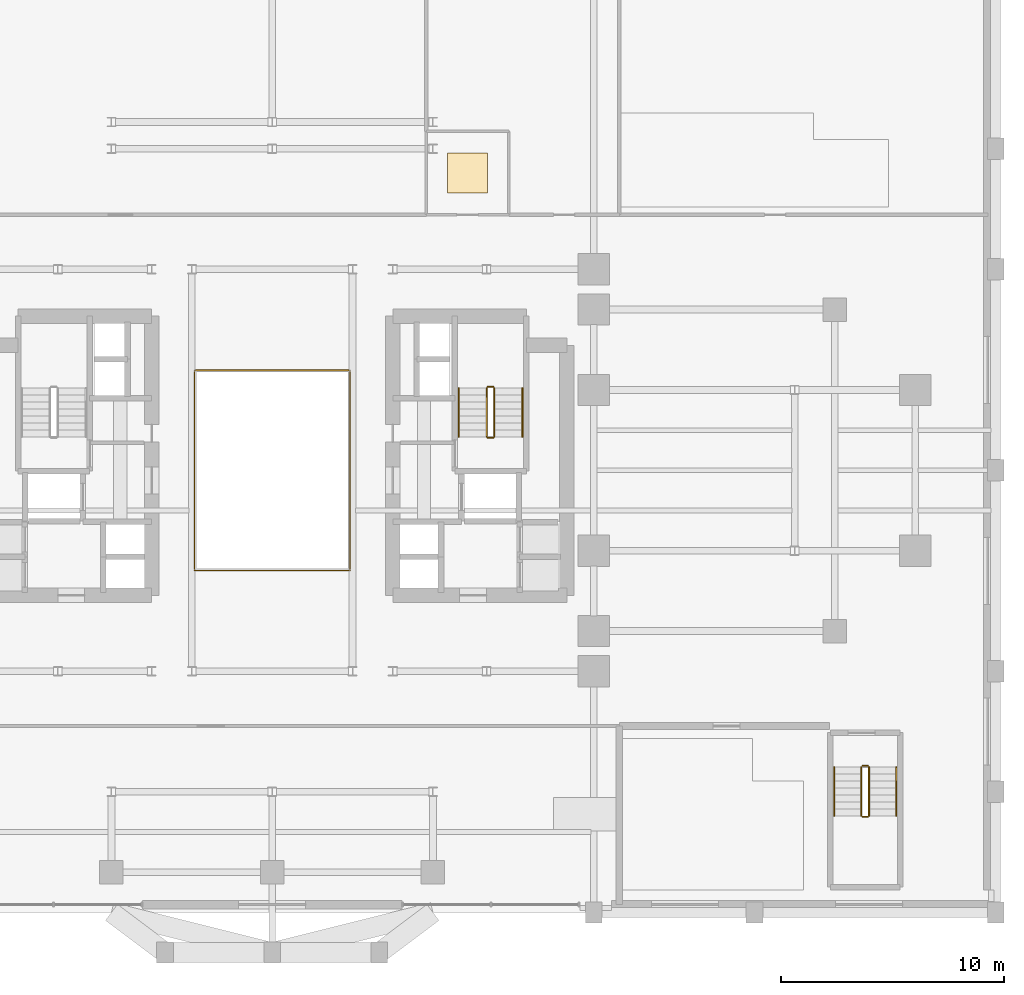
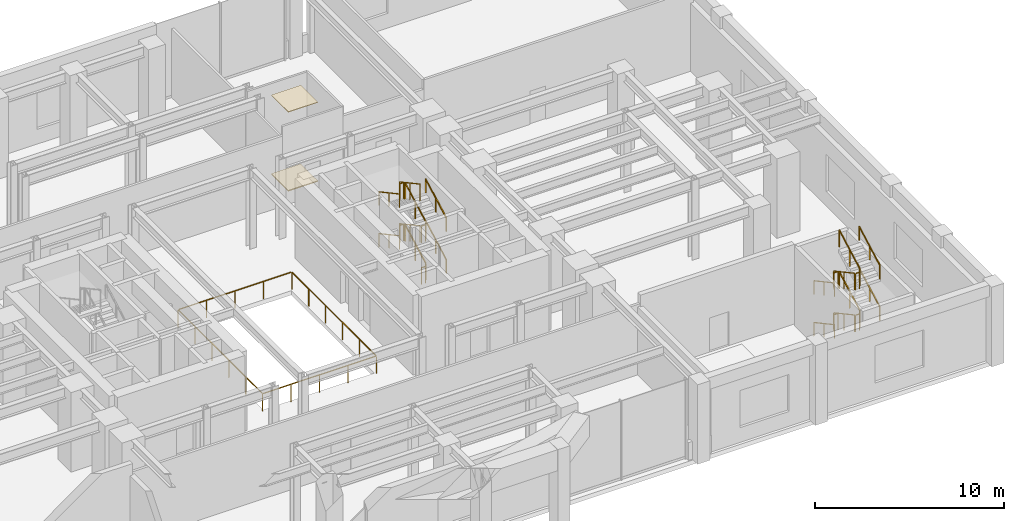
# One storey, part 15 of 16: 25 railings, 2 coverings.
"""IFC4 building model written with IfcOpenShell, lengths in metres."""

from ifc_helpers import new_model, si_unit, direction, frame, origin, origin_2d, place, context, subcontext, project, spatial, rectangle, extrude, source, transform, mapped, material, layer, layer_set, type_object, element, save


model = new_model("IFC4")

# Units and contexts
model_context = context("Model", 3, precision=1e-05, world=origin(), true_north=direction((0.0, 1.0)))
body_context = subcontext(model_context, "Body", "Model", "MODEL_VIEW")
ifc_project = project(units=[si_unit("LENGTHUNIT", "METRE"), si_unit("AREAUNIT", "SQUARE_METRE"), si_unit("VOLUMEUNIT", "CUBIC_METRE"), si_unit("PLANEANGLEUNIT", "RADIAN"), si_unit("MASSUNIT", "GRAM", prefix="KILO")], contexts=[model_context])

# Site, building, storey
site_placement = place(None, origin())
site = spatial("IfcSite", under=ifc_project, at=site_placement, CompositionType="ELEMENT")
building_placement = place(site_placement, origin())
building = spatial("IfcBuilding", under=site, at=building_placement, Name="Keilestroom Media Tower", CompositionType="ELEMENT")
storey_placement = place(building_placement, frame((0.0, 0.0, 10.199951171875)))
storey = spatial("IfcBuildingStorey", under=building, at=storey_placement, Name="L02", CompositionType="ELEMENT", Elevation=10.199951171875)

# Railings
ifc_material_1 = material(Name="Laminated Safety Glass & Bronze Steel", Category="steel")
railing_type_1 = type_object("IfcRailingType", Name="Atrium-Void-Guard-Balustrade-1150", PredefinedType="BALUSTRADE", material=ifc_material_1)
railing_1_placement = place(storey_placement, frame((-3.47998046875, -4.47998046875, 0.0)))
element("IfcRailing", 1, at=railing_1_placement, inside=storey, type_object=railing_type_1, Name="L02 Central Atrium Void Balustrade", PredefinedType="BALUSTRADE", context=body_context, shape_type="SweptSolid", body=[
    extrude(rectangle(XDim=0.048095703125, YDim=0.048095703125, at=origin_2d()), frame((0.0, 0.0, 1.1259765625), z_axis=(1.0, 0.0, 0.0), x_axis=(0.0, 1.0, 0.0)), (0.0, 0.0, 1.0), 6.911865234375),
    extrude(rectangle(XDim=0.048095703125, YDim=0.048095703125, at=origin_2d()), frame((6.9599609375, 0.048095703125, 1.1259765625), z_axis=(0.0, 1.0, 0.0), x_axis=(-1.0, 0.0, 0.0)), (0.0, 0.0, 1.0), 8.86376953125),
    extrude(rectangle(XDim=0.048095703125, YDim=0.048095703125, at=origin_2d()), frame((6.911865234375, 8.9599609375, 1.1259765625), z_axis=(-1.0, 0.0, 0.0), x_axis=(0.0, -1.0, 0.0)), (0.0, 0.0, 1.0), 6.86376953125),
    extrude(rectangle(XDim=0.048095703125, YDim=0.048095703125, at=origin_2d()), frame((0.0, 8.911865234375, 1.1259765625), z_axis=(0.0, -1.0, 0.0), x_axis=(1.0, 0.0, 0.0)), (0.0, 0.0, 1.0), 8.86376953125),
    extrude(rectangle(XDim=0.0419921875, YDim=0.0419921875, at=origin_2d()), origin(), (0.0, 0.0, 1.0), 1.09375),
    extrude(rectangle(XDim=0.0419921875, YDim=0.0419921875, at=origin_2d()), frame((1.739990234375, 0.0, 0.0)), (0.0, 0.0, 1.0), 1.09375),
    extrude(rectangle(XDim=0.0419921875, YDim=0.0419921875, at=origin_2d()), frame((3.47998046875, 0.0, 0.0)), (0.0, 0.0, 1.0), 1.09375),
    extrude(rectangle(XDim=0.0419921875, YDim=0.0419921875, at=origin_2d()), frame((5.219970703125, 0.0, 0.0)), (0.0, 0.0, 1.0), 1.09375),
    extrude(rectangle(XDim=0.0419921875, YDim=0.0419921875, at=origin_2d()), frame((6.9599609375, 0.0, 0.0)), (0.0, 0.0, 1.0), 1.09375),
    extrude(rectangle(XDim=0.0419921875, YDim=0.0419921875, at=origin_2d()), frame((6.9599609375, 1.7919921875, 0.0)), (0.0, 0.0, 1.0), 1.09375),
    extrude(rectangle(XDim=0.0419921875, YDim=0.0419921875, at=origin_2d()), frame((6.9599609375, 3.583984375, 0.0)), (0.0, 0.0, 1.0), 1.09375),
    extrude(rectangle(XDim=0.0419921875, YDim=0.0419921875, at=origin_2d()), frame((6.9599609375, 5.3759765625, 0.0)), (0.0, 0.0, 1.0), 1.09375),
    extrude(rectangle(XDim=0.0419921875, YDim=0.0419921875, at=origin_2d()), frame((6.9599609375, 7.16796875, 0.0)), (0.0, 0.0, 1.0), 1.09375),
    extrude(rectangle(XDim=0.0419921875, YDim=0.0419921875, at=origin_2d()), frame((6.9599609375, 8.9599609375, 0.0)), (0.0, 0.0, 1.0), 1.09375),
    extrude(rectangle(XDim=0.0419921875, YDim=0.0419921875, at=origin_2d()), frame((5.219970703125, 8.9599609375, 0.0)), (0.0, 0.0, 1.0), 1.09375),
    extrude(rectangle(XDim=0.0419921875, YDim=0.0419921875, at=origin_2d()), frame((3.47998046875, 8.9599609375, 0.0)), (0.0, 0.0, 1.0), 1.09375),
    extrude(rectangle(XDim=0.0419921875, YDim=0.0419921875, at=origin_2d()), frame((1.739990234375, 8.9599609375, 0.0)), (0.0, 0.0, 1.0), 1.09375),
    extrude(rectangle(XDim=0.0419921875, YDim=0.0419921875, at=origin_2d()), frame((0.0, 8.9599609375, 0.0)), (0.0, 0.0, 1.0), 1.09375),
    extrude(rectangle(XDim=0.0419921875, YDim=0.0419921875, at=origin_2d()), frame((0.0, 7.16796875, 0.0)), (0.0, 0.0, 1.0), 1.09375),
    extrude(rectangle(XDim=0.0419921875, YDim=0.0419921875, at=origin_2d()), frame((0.0, 5.3759765625, 0.0)), (0.0, 0.0, 1.0), 1.09375),
    extrude(rectangle(XDim=0.0419921875, YDim=0.0419921875, at=origin_2d()), frame((0.0, 3.583984375, 0.0)), (0.0, 0.0, 1.0), 1.09375),
    extrude(rectangle(XDim=0.0419921875, YDim=0.0419921875, at=origin_2d()), frame((0.0, 1.7919921875, 0.0)), (0.0, 0.0, 1.0), 1.09375),
])
ifc_material_2 = material(Name="Brushed Stainless Steel 1.4301", Category="steel")
railing_type_2 = type_object("IfcRailingType", Name="Stair-Pitch-Handrail-920", PredefinedType="HANDRAIL", material=ifc_material_2)
railing_2_placement = place(storey_placement, frame((11.2099609375, 1.5, 0.168701171875)))
element("IfcRailing", 2, at=railing_2_placement, inside=storey, type_object=railing_type_2, Name="L02 ST-2 stair handrail 1", PredefinedType="HANDRAIL", context=body_context, shape_type="SweptSolid", body=[
    extrude(rectangle(XDim=0.048095703125, YDim=0.048095703125, at=origin_2d()), frame((0.0, 0.0, 0.8759765625), z_axis=(0.0, 0.879569751981, 0.475769956387), x_axis=(-1.0, 0.0, 0.0)), (0.0, 0.0, 1.0), 2.483154296875),
    extrude(rectangle(XDim=0.0419921875, YDim=0.0419921875, at=origin_2d()), origin(), (0.0, 0.0, 1.0), 0.84375),
    extrude(rectangle(XDim=0.0419921875, YDim=0.0419921875, at=origin_2d()), frame((0.0, 1.092041015625, 0.5908203125)), (0.0, 0.0, 1.0), 0.84375),
    extrude(rectangle(XDim=0.0419921875, YDim=0.0419921875, at=origin_2d()), frame((0.0, 2.18408203125, 1.181396484375)), (0.0, 0.0, 1.0), 0.84375),
])
railing_3_placement = place(storey_placement, frame((8.35009765625, 3.68408203125, 1.518798828125)))
element("IfcRailing", 3, at=railing_3_placement, inside=storey, type_object=railing_type_2, Name="L02 ST-2 stair handrail 2", PredefinedType="HANDRAIL", context=body_context, shape_type="SweptSolid", body=[
    extrude(rectangle(XDim=0.048095703125, YDim=0.048095703125, at=origin_2d()), frame((0.0, 0.0, 0.8759765625), z_axis=(0.0, -0.879610894823, 0.475693886559), x_axis=(1.0, 0.0, 0.0)), (0.0, 0.0, 1.0), 2.48291015625),
    extrude(rectangle(XDim=0.0419921875, YDim=0.0419921875, at=origin_2d()), origin(), (0.0, 0.0, 1.0), 0.84375),
    extrude(rectangle(XDim=0.0419921875, YDim=0.0419921875, at=origin_2d()), frame((0.0, -1.092041015625, 0.590576171875)), (0.0, 0.0, 1.0), 0.84375),
    extrude(rectangle(XDim=0.0419921875, YDim=0.0419921875, at=origin_2d()), frame((0.0, -2.18408203125, 1.18115234375)), (0.0, 0.0, 1.0), 0.84375),
])
railing_4_placement = place(storey_placement, frame((11.2099609375, 1.5, 2.868896484375)))
element("IfcRailing", 4, at=railing_4_placement, inside=storey, type_object=railing_type_2, Name="L02 ST-2 stair handrail 3", PredefinedType="HANDRAIL", context=body_context, shape_type="SweptSolid", body=[
    extrude(rectangle(XDim=0.048095703125, YDim=0.048095703125, at=origin_2d()), frame((0.0, 0.0, 0.8759765625), z_axis=(0.0, 0.879610894823, 0.475693886559), x_axis=(-1.0, 0.0, 0.0)), (0.0, 0.0, 1.0), 2.48291015625),
    extrude(rectangle(XDim=0.0419921875, YDim=0.0419921875, at=origin_2d()), origin(), (0.0, 0.0, 1.0), 0.84375),
    extrude(rectangle(XDim=0.0419921875, YDim=0.0419921875, at=origin_2d()), frame((0.0, 1.092041015625, 0.590576171875)), (0.0, 0.0, 1.0), 0.84375),
    extrude(rectangle(XDim=0.0419921875, YDim=0.0419921875, at=origin_2d()), frame((0.0, 2.18408203125, 1.18115234375)), (0.0, 0.0, 1.0), 0.84375),
])
for number, where, name in (
    (5, (8.35009765625, 3.68408203125, 4.21875), "L02 ST-2 stair handrail 4"),
    (6, (25.169921875, -13.2900390625, 0.168701171875), "L02 ST-4 stair handrail 1"),
):
    element("IfcRailing", number, at=place(storey_placement, frame(where)), inside=storey, type_object=railing_type_2, Name=name, PredefinedType="HANDRAIL", context=body_context, shape_type="SweptSolid", body=[
        extrude(rectangle(XDim=0.048095703125, YDim=0.048095703125, at=origin_2d()), frame((0.0, 0.0, 0.8759765625), z_axis=(0.0, -0.879569751981, 0.475769956387), x_axis=(1.0, 0.0, 0.0)), (0.0, 0.0, 1.0), 2.483154296875),
        extrude(rectangle(XDim=0.0419921875, YDim=0.0419921875, at=origin_2d()), origin(), (0.0, 0.0, 1.0), 0.84375),
        extrude(rectangle(XDim=0.0419921875, YDim=0.0419921875, at=origin_2d()), frame((0.0, -1.092041015625, 0.5908203125)), (0.0, 0.0, 1.0), 0.84375),
        extrude(rectangle(XDim=0.0419921875, YDim=0.0419921875, at=origin_2d()), frame((0.0, -2.18408203125, 1.181396484375)), (0.0, 0.0, 1.0), 0.84375),
    ])
railing_5_placement = place(storey_placement, frame((27.949951171875, -15.47412109375, 1.518798828125)))
element("IfcRailing", 7, at=railing_5_placement, inside=storey, type_object=railing_type_2, Name="L02 ST-4 stair handrail 2", PredefinedType="HANDRAIL", context=body_context, shape_type="SweptSolid", body=[
    extrude(rectangle(XDim=0.048095703125, YDim=0.048095703125, at=origin_2d()), frame((0.0, 0.0, 0.8759765625), z_axis=(0.0, 0.879610894823, 0.475693886559), x_axis=(-1.0, 0.0, 0.0)), (0.0, 0.0, 1.0), 2.48291015625),
    extrude(rectangle(XDim=0.0419921875, YDim=0.0419921875, at=origin_2d()), origin(), (0.0, 0.0, 1.0), 0.84375),
    extrude(rectangle(XDim=0.0419921875, YDim=0.0419921875, at=origin_2d()), frame((0.0, 1.092041015625, 0.590576171875)), (0.0, 0.0, 1.0), 0.84375),
    extrude(rectangle(XDim=0.0419921875, YDim=0.0419921875, at=origin_2d()), frame((0.0, 2.18408203125, 1.18115234375)), (0.0, 0.0, 1.0), 0.84375),
])
railing_6_placement = place(storey_placement, frame((25.169921875, -13.2900390625, 2.868896484375)))
element("IfcRailing", 8, at=railing_6_placement, inside=storey, type_object=railing_type_2, Name="L02 ST-4 stair handrail 3", PredefinedType="HANDRAIL", context=body_context, shape_type="SweptSolid", body=[
    extrude(rectangle(XDim=0.048095703125, YDim=0.048095703125, at=origin_2d()), frame((0.0, 0.0, 0.8759765625), z_axis=(0.0, -0.879610894823, 0.475693886559), x_axis=(1.0, 0.0, 0.0)), (0.0, 0.0, 1.0), 2.48291015625),
    extrude(rectangle(XDim=0.0419921875, YDim=0.0419921875, at=origin_2d()), origin(), (0.0, 0.0, 1.0), 0.84375),
    extrude(rectangle(XDim=0.0419921875, YDim=0.0419921875, at=origin_2d()), frame((0.0, -1.092041015625, 0.590576171875)), (0.0, 0.0, 1.0), 0.84375),
    extrude(rectangle(XDim=0.0419921875, YDim=0.0419921875, at=origin_2d()), frame((0.0, -2.18408203125, 1.18115234375)), (0.0, 0.0, 1.0), 0.84375),
])
railing_7_placement = place(storey_placement, frame((27.949951171875, -15.47412109375, 4.21875)))
element("IfcRailing", 9, at=railing_7_placement, inside=storey, type_object=railing_type_2, Name="L02 ST-4 stair handrail 4", PredefinedType="HANDRAIL", context=body_context, shape_type="SweptSolid", body=[
    extrude(rectangle(XDim=0.048095703125, YDim=0.048095703125, at=origin_2d()), frame((0.0, 0.0, 0.8759765625), z_axis=(0.0, 0.879569751981, 0.475769956387), x_axis=(-1.0, 0.0, 0.0)), (0.0, 0.0, 1.0), 2.483154296875),
    extrude(rectangle(XDim=0.0419921875, YDim=0.0419921875, at=origin_2d()), origin(), (0.0, 0.0, 1.0), 0.84375),
    extrude(rectangle(XDim=0.0419921875, YDim=0.0419921875, at=origin_2d()), frame((0.0, 1.092041015625, 0.5908203125)), (0.0, 0.0, 1.0), 0.84375),
    extrude(rectangle(XDim=0.0419921875, YDim=0.0419921875, at=origin_2d()), frame((0.0, 2.18408203125, 1.181396484375)), (0.0, 0.0, 1.0), 0.84375),
])
ifc_material_3 = material(Name="Painted Steel Balustrade", Category="steel")
railing_type_3 = type_object("IfcRailingType", Name="Stair-Well-And-Landing-Guard-1100", PredefinedType="GUARDRAIL", material=ifc_material_3)
railing_8_placement = place(storey_placement, frame((9.949951171875, 1.5, 0.168701171875)))
element("IfcRailing", 10, at=railing_8_placement, inside=storey, type_object=railing_type_3, Name="L02 ST-2 stair guard 1", PredefinedType="GUARDRAIL", context=body_context, shape_type="SweptSolid", body=[
    extrude(rectangle(XDim=0.048095703125, YDim=0.048095703125, at=origin_2d()), frame((0.0, 0.0, 1.076171875), z_axis=(0.0, 0.879569751981, 0.475769956387), x_axis=(-1.0, 0.0, 0.0)), (0.0, 0.0, 1.0), 2.483154296875),
    extrude(rectangle(XDim=0.0419921875, YDim=0.0419921875, at=origin_2d()), origin(), (0.0, 0.0, 1.0), 1.0439453125),
    extrude(rectangle(XDim=0.0419921875, YDim=0.0419921875, at=origin_2d()), frame((0.0, 1.092041015625, 0.5908203125)), (0.0, 0.0, 1.0), 1.0439453125),
    extrude(rectangle(XDim=0.0419921875, YDim=0.0419921875, at=origin_2d()), frame((0.0, 2.18408203125, 1.181396484375)), (0.0, 0.0, 1.0), 1.0439453125),
])
railing_9_placement = place(storey_placement, frame((9.89990234375, 3.73388671875, 1.35009765625)))
element("IfcRailing", 11, at=railing_9_placement, inside=storey, type_object=railing_type_3, Name="L02 ST-2 stair guard 2", PredefinedType="GUARDRAIL", context=body_context, shape_type="SweptSolid", body=[
    extrude(rectangle(XDim=0.048095703125, YDim=0.048095703125, at=origin_2d()), frame((0.0, 0.0, 1.076171875), z_axis=(-1.0, 0.0, 0.0), x_axis=(0.0, -1.0, 0.0)), (0.0, 0.0, 1.0), 0.239990234375),
    extrude(rectangle(XDim=0.0419921875, YDim=0.0419921875, at=origin_2d()), origin(), (0.0, 0.0, 1.0), 1.0439453125),
    extrude(rectangle(XDim=0.0419921875, YDim=0.0419921875, at=origin_2d()), frame((-0.239990234375, 0.0, 0.0)), (0.0, 0.0, 1.0), 1.0439453125),
])
railing_10_placement = place(storey_placement, frame((9.610107421875, 3.68408203125, 1.518798828125)))
element("IfcRailing", 12, at=railing_10_placement, inside=storey, type_object=railing_type_3, Name="L02 ST-2 stair guard 3", PredefinedType="GUARDRAIL", context=body_context, shape_type="SweptSolid", body=[
    extrude(rectangle(XDim=0.048095703125, YDim=0.048095703125, at=origin_2d()), frame((0.0, 0.0, 1.076171875), z_axis=(0.0, -0.879610894823, 0.475693886559), x_axis=(1.0, 0.0, 0.0)), (0.0, 0.0, 1.0), 2.48291015625),
    extrude(rectangle(XDim=0.0419921875, YDim=0.0419921875, at=origin_2d()), origin(), (0.0, 0.0, 1.0), 1.0439453125),
    extrude(rectangle(XDim=0.0419921875, YDim=0.0419921875, at=origin_2d()), frame((0.0, -1.092041015625, 0.590576171875)), (0.0, 0.0, 1.0), 1.0439453125),
    extrude(rectangle(XDim=0.0419921875, YDim=0.0419921875, at=origin_2d()), frame((0.0, -2.18408203125, 1.18115234375)), (0.0, 0.0, 1.0), 1.0439453125),
])
railing_11_placement = place(storey_placement, frame((9.89990234375, 1.449951171875, 2.699951171875)))
element("IfcRailing", 13, at=railing_11_placement, inside=storey, type_object=railing_type_3, Name="L02 ST-2 stair guard 4", PredefinedType="GUARDRAIL", context=body_context, shape_type="SweptSolid", body=[
    extrude(rectangle(XDim=0.048095703125, YDim=0.048095703125, at=origin_2d()), frame((0.0, 0.0, 1.076171875), z_axis=(-1.0, 0.0, 0.0), x_axis=(0.0, -1.0, 0.0)), (0.0, 0.0, 1.0), 0.239990234375),
    extrude(rectangle(XDim=0.0419921875, YDim=0.0419921875, at=origin_2d()), origin(), (0.0, 0.0, 1.0), 1.0439453125),
    extrude(rectangle(XDim=0.0419921875, YDim=0.0419921875, at=origin_2d()), frame((-0.239990234375, 0.0, 0.0)), (0.0, 0.0, 1.0), 1.0439453125),
])
railing_12_placement = place(storey_placement, frame((9.949951171875, 1.5, 2.868896484375)))
element("IfcRailing", 14, at=railing_12_placement, inside=storey, type_object=railing_type_3, Name="L02 ST-2 stair guard 5", PredefinedType="GUARDRAIL", context=body_context, shape_type="SweptSolid", body=[
    extrude(rectangle(XDim=0.048095703125, YDim=0.048095703125, at=origin_2d()), frame((0.0, 0.0, 1.076171875), z_axis=(0.0, 0.879610894823, 0.475693886559), x_axis=(-1.0, 0.0, 0.0)), (0.0, 0.0, 1.0), 2.48291015625),
    extrude(rectangle(XDim=0.0419921875, YDim=0.0419921875, at=origin_2d()), origin(), (0.0, 0.0, 1.0), 1.0439453125),
    extrude(rectangle(XDim=0.0419921875, YDim=0.0419921875, at=origin_2d()), frame((0.0, 1.092041015625, 0.590576171875)), (0.0, 0.0, 1.0), 1.0439453125),
    extrude(rectangle(XDim=0.0419921875, YDim=0.0419921875, at=origin_2d()), frame((0.0, 2.18408203125, 1.18115234375)), (0.0, 0.0, 1.0), 1.0439453125),
])
railing_13_placement = place(storey_placement, frame((9.89990234375, 3.73388671875, 4.050048828125)))
element("IfcRailing", 15, at=railing_13_placement, inside=storey, type_object=railing_type_3, Name="L02 ST-2 stair guard 6", PredefinedType="GUARDRAIL", context=body_context, shape_type="SweptSolid", body=[
    extrude(rectangle(XDim=0.048095703125, YDim=0.048095703125, at=origin_2d()), frame((0.0, 0.0, 1.076171875), z_axis=(-1.0, 0.0, 0.0), x_axis=(0.0, -1.0, 0.0)), (0.0, 0.0, 1.0), 0.239990234375),
    extrude(rectangle(XDim=0.0419921875, YDim=0.0419921875, at=origin_2d()), origin(), (0.0, 0.0, 1.0), 1.0439453125),
    extrude(rectangle(XDim=0.0419921875, YDim=0.0419921875, at=origin_2d()), frame((-0.239990234375, 0.0, 0.0)), (0.0, 0.0, 1.0), 1.0439453125),
])
railing_14_placement = place(storey_placement, frame((9.610107421875, 3.68408203125, 4.21875)))
element("IfcRailing", 16, at=railing_14_placement, inside=storey, type_object=railing_type_3, Name="L02 ST-2 stair guard 7", PredefinedType="GUARDRAIL", context=body_context, shape_type="SweptSolid", body=[
    extrude(rectangle(XDim=0.048095703125, YDim=0.048095703125, at=origin_2d()), frame((0.0, 0.0, 1.076171875), z_axis=(0.0, -0.879569751981, 0.475769956387), x_axis=(1.0, 0.0, 0.0)), (0.0, 0.0, 1.0), 2.483154296875),
    extrude(rectangle(XDim=0.0419921875, YDim=0.0419921875, at=origin_2d()), origin(), (0.0, 0.0, 1.0), 1.0439453125),
    extrude(rectangle(XDim=0.0419921875, YDim=0.0419921875, at=origin_2d()), frame((0.0, -1.092041015625, 0.5908203125)), (0.0, 0.0, 1.0), 1.0439453125),
    extrude(rectangle(XDim=0.0419921875, YDim=0.0419921875, at=origin_2d()), frame((0.0, -2.18408203125, 1.181396484375)), (0.0, 0.0, 1.0), 1.0439453125),
])
railing_15_placement = place(storey_placement, frame((9.89990234375, 1.449951171875, 0.0)))
element("IfcRailing", 17, at=railing_15_placement, inside=storey, type_object=railing_type_3, Name="L02 ST-2 stair guard 8", PredefinedType="GUARDRAIL", context=body_context, shape_type="SweptSolid", body=[
    extrude(rectangle(XDim=0.048095703125, YDim=0.048095703125, at=origin_2d()), frame((0.0, 0.0, 1.076171875), z_axis=(-1.0, 0.0, 0.0), x_axis=(0.0, -1.0, 0.0)), (0.0, 0.0, 1.0), 0.239990234375),
    extrude(rectangle(XDim=0.0419921875, YDim=0.0419921875, at=origin_2d()), origin(), (0.0, 0.0, 1.0), 1.0439453125),
    extrude(rectangle(XDim=0.0419921875, YDim=0.0419921875, at=origin_2d()), frame((-0.239990234375, 0.0, 0.0)), (0.0, 0.0, 1.0), 1.0439453125),
])
railing_16_placement = place(storey_placement, frame((26.389892578125, -13.2900390625, 0.168701171875)))
element("IfcRailing", 18, at=railing_16_placement, inside=storey, type_object=railing_type_3, Name="L02 ST-4 stair guard 1", PredefinedType="GUARDRAIL", context=body_context, shape_type="SweptSolid", body=[
    extrude(rectangle(XDim=0.048095703125, YDim=0.048095703125, at=origin_2d()), frame((0.0, 0.0, 1.076171875), z_axis=(0.0, -0.879569751981, 0.475769956387), x_axis=(1.0, 0.0, 0.0)), (0.0, 0.0, 1.0), 2.483154296875),
    extrude(rectangle(XDim=0.0419921875, YDim=0.0419921875, at=origin_2d()), origin(), (0.0, 0.0, 1.0), 1.0439453125),
    extrude(rectangle(XDim=0.0419921875, YDim=0.0419921875, at=origin_2d()), frame((0.0, -1.092041015625, 0.5908203125)), (0.0, 0.0, 1.0), 1.0439453125),
    extrude(rectangle(XDim=0.0419921875, YDim=0.0419921875, at=origin_2d()), frame((0.0, -2.18408203125, 1.181396484375)), (0.0, 0.0, 1.0), 1.0439453125),
])
railing_17_placement = place(storey_placement, frame((26.43994140625, -15.52392578125, 1.35009765625)))
element("IfcRailing", 19, at=railing_17_placement, inside=storey, type_object=railing_type_3, Name="L02 ST-4 stair guard 2", PredefinedType="GUARDRAIL", context=body_context, shape_type="SweptSolid", body=[
    extrude(rectangle(XDim=0.048095703125, YDim=0.048095703125, at=origin_2d()), frame((0.0, 0.0, 1.076171875), z_axis=(1.0, 0.0, 0.0), x_axis=(0.0, 1.0, 0.0)), (0.0, 0.0, 1.0), 0.239990234375),
    extrude(rectangle(XDim=0.0419921875, YDim=0.0419921875, at=origin_2d()), origin(), (0.0, 0.0, 1.0), 1.0439453125),
    extrude(rectangle(XDim=0.0419921875, YDim=0.0419921875, at=origin_2d()), frame((0.239990234375, 0.0, 0.0)), (0.0, 0.0, 1.0), 1.0439453125),
])
railing_18_placement = place(storey_placement, frame((26.72998046875, -15.47412109375, 1.518798828125)))
element("IfcRailing", 20, at=railing_18_placement, inside=storey, type_object=railing_type_3, Name="L02 ST-4 stair guard 3", PredefinedType="GUARDRAIL", context=body_context, shape_type="SweptSolid", body=[
    extrude(rectangle(XDim=0.048095703125, YDim=0.048095703125, at=origin_2d()), frame((0.0, 0.0, 1.076171875), z_axis=(0.0, 0.879610894823, 0.475693886559), x_axis=(-1.0, 0.0, 0.0)), (0.0, 0.0, 1.0), 2.48291015625),
    extrude(rectangle(XDim=0.0419921875, YDim=0.0419921875, at=origin_2d()), origin(), (0.0, 0.0, 1.0), 1.0439453125),
    extrude(rectangle(XDim=0.0419921875, YDim=0.0419921875, at=origin_2d()), frame((0.0, 1.092041015625, 0.590576171875)), (0.0, 0.0, 1.0), 1.0439453125),
    extrude(rectangle(XDim=0.0419921875, YDim=0.0419921875, at=origin_2d()), frame((0.0, 2.18408203125, 1.18115234375)), (0.0, 0.0, 1.0), 1.0439453125),
])
railing_19_placement = place(storey_placement, frame((26.43994140625, -13.239990234375, 2.699951171875)))
element("IfcRailing", 21, at=railing_19_placement, inside=storey, type_object=railing_type_3, Name="L02 ST-4 stair guard 4", PredefinedType="GUARDRAIL", context=body_context, shape_type="SweptSolid", body=[
    extrude(rectangle(XDim=0.048095703125, YDim=0.048095703125, at=origin_2d()), frame((0.0, 0.0, 1.076171875), z_axis=(1.0, 0.0, 0.0), x_axis=(0.0, 1.0, 0.0)), (0.0, 0.0, 1.0), 0.239990234375),
    extrude(rectangle(XDim=0.0419921875, YDim=0.0419921875, at=origin_2d()), origin(), (0.0, 0.0, 1.0), 1.0439453125),
    extrude(rectangle(XDim=0.0419921875, YDim=0.0419921875, at=origin_2d()), frame((0.239990234375, 0.0, 0.0)), (0.0, 0.0, 1.0), 1.0439453125),
])
railing_20_placement = place(storey_placement, frame((26.389892578125, -13.2900390625, 2.868896484375)))
element("IfcRailing", 22, at=railing_20_placement, inside=storey, type_object=railing_type_3, Name="L02 ST-4 stair guard 5", PredefinedType="GUARDRAIL", context=body_context, shape_type="SweptSolid", body=[
    extrude(rectangle(XDim=0.048095703125, YDim=0.048095703125, at=origin_2d()), frame((0.0, 0.0, 1.076171875), z_axis=(0.0, -0.879610894823, 0.475693886559), x_axis=(1.0, 0.0, 0.0)), (0.0, 0.0, 1.0), 2.48291015625),
    extrude(rectangle(XDim=0.0419921875, YDim=0.0419921875, at=origin_2d()), origin(), (0.0, 0.0, 1.0), 1.0439453125),
    extrude(rectangle(XDim=0.0419921875, YDim=0.0419921875, at=origin_2d()), frame((0.0, -1.092041015625, 0.590576171875)), (0.0, 0.0, 1.0), 1.0439453125),
    extrude(rectangle(XDim=0.0419921875, YDim=0.0419921875, at=origin_2d()), frame((0.0, -2.18408203125, 1.18115234375)), (0.0, 0.0, 1.0), 1.0439453125),
])
railing_21_placement = place(storey_placement, frame((26.43994140625, -15.52392578125, 4.050048828125)))
element("IfcRailing", 23, at=railing_21_placement, inside=storey, type_object=railing_type_3, Name="L02 ST-4 stair guard 6", PredefinedType="GUARDRAIL", context=body_context, shape_type="SweptSolid", body=[
    extrude(rectangle(XDim=0.048095703125, YDim=0.048095703125, at=origin_2d()), frame((0.0, 0.0, 1.076171875), z_axis=(1.0, 0.0, 0.0), x_axis=(0.0, 1.0, 0.0)), (0.0, 0.0, 1.0), 0.239990234375),
    extrude(rectangle(XDim=0.0419921875, YDim=0.0419921875, at=origin_2d()), origin(), (0.0, 0.0, 1.0), 1.0439453125),
    extrude(rectangle(XDim=0.0419921875, YDim=0.0419921875, at=origin_2d()), frame((0.239990234375, 0.0, 0.0)), (0.0, 0.0, 1.0), 1.0439453125),
])
railing_22_placement = place(storey_placement, frame((26.72998046875, -15.47412109375, 4.21875)))
element("IfcRailing", 24, at=railing_22_placement, inside=storey, type_object=railing_type_3, Name="L02 ST-4 stair guard 7", PredefinedType="GUARDRAIL", context=body_context, shape_type="SweptSolid", body=[
    extrude(rectangle(XDim=0.048095703125, YDim=0.048095703125, at=origin_2d()), frame((0.0, 0.0, 1.076171875), z_axis=(0.0, 0.879569751981, 0.475769956387), x_axis=(-1.0, 0.0, 0.0)), (0.0, 0.0, 1.0), 2.483154296875),
    extrude(rectangle(XDim=0.0419921875, YDim=0.0419921875, at=origin_2d()), origin(), (0.0, 0.0, 1.0), 1.0439453125),
    extrude(rectangle(XDim=0.0419921875, YDim=0.0419921875, at=origin_2d()), frame((0.0, 1.092041015625, 0.5908203125)), (0.0, 0.0, 1.0), 1.0439453125),
    extrude(rectangle(XDim=0.0419921875, YDim=0.0419921875, at=origin_2d()), frame((0.0, 2.18408203125, 1.181396484375)), (0.0, 0.0, 1.0), 1.0439453125),
])
railing_23_placement = place(storey_placement, frame((26.43994140625, -13.239990234375, 0.0)))
element("IfcRailing", 25, at=railing_23_placement, inside=storey, type_object=railing_type_3, Name="L02 ST-4 stair guard 8", PredefinedType="GUARDRAIL", context=body_context, shape_type="SweptSolid", body=[
    extrude(rectangle(XDim=0.048095703125, YDim=0.048095703125, at=origin_2d()), frame((0.0, 0.0, 1.076171875), z_axis=(1.0, 0.0, 0.0), x_axis=(0.0, 1.0, 0.0)), (0.0, 0.0, 1.0), 0.239990234375),
    extrude(rectangle(XDim=0.0419921875, YDim=0.0419921875, at=origin_2d()), origin(), (0.0, 0.0, 1.0), 1.0439453125),
    extrude(rectangle(XDim=0.0419921875, YDim=0.0419921875, at=origin_2d()), frame((0.239990234375, 0.0, 0.0)), (0.0, 0.0, 1.0), 1.0439453125),
])

# Coverings
ifc_material_4 = material(Name="Mineral-Fibre Acoustic Ceiling Tile", Category="gypsum")
ifc_layer_1 = layer(ifc_material_4, 0.0400390625)
ifc_layer_set_1 = layer_set([ifc_layer_1], Name="Mineral-Fibre Acoustic Ceiling Tile")
covering_type_1 = type_object("IfcCoveringType", Name="Suspended-Acoustic-Ceiling-40", PredefinedType="CEILING", material=ifc_layer_set_1)
shared_shape_1 = source(origin(), body_context, "Body", "SweptSolid", [
    extrude(rectangle(XDim=1.800048828125, YDim=1.800048828125, at=origin_2d()), origin(), (0.0, 0.0, 1.0), 0.0400390625),
])
covering_1_placement = place(storey_placement, frame((8.75, 13.31494140625, 5.110107421875), z_axis=(0.0, 0.0, 1.0), x_axis=(1.0, 0.0, 0.0)))
element("IfcCovering", 26, at=covering_1_placement, inside=storey, type_object=covering_type_1, Name="L02 Suspended Acoustic Ceiling 1", PredefinedType="CEILING", context=body_context, shape_type="MappedRepresentation", body=[
    mapped(shared_shape_1, transform((0.0, 0.0, 0.0), x_axis=(1.0, 0.0, 0.0), y_axis=(0.0, 1.0, 0.0), z_axis=(0.0, 0.0, 1.0), scale=1.0)),
])
ifc_material_5 = material(Name="Calcium-Sulphate Raised Access Floor", Category="concrete")
ifc_layer_2 = layer(ifc_material_5, 0.06005859375)
ifc_layer_set_2 = layer_set([ifc_layer_2], Name="Calcium-Sulphate Raised Access Floor")
covering_type_2 = type_object("IfcCoveringType", Name="Raised-Access-And-Acoustic-Flooring-60", PredefinedType="FLOORING", material=ifc_layer_set_2)
shared_shape_2 = source(origin(), body_context, "Body", "SweptSolid", [
    extrude(rectangle(XDim=1.800048828125, YDim=1.800048828125, at=origin_2d()), origin(), (0.0, 0.0, 1.0), 0.06005859375),
])
covering_2_placement = place(storey_placement, frame((8.75, 13.31494140625, 0.0), z_axis=(0.0, 0.0, 1.0), x_axis=(1.0, 0.0, 0.0)))
element("IfcCovering", 27, at=covering_2_placement, inside=storey, type_object=covering_type_2, Name="L02 Raised Access Flooring 1", PredefinedType="FLOORING", context=body_context, shape_type="MappedRepresentation", body=[
    mapped(shared_shape_2, transform((0.0, 0.0, 0.0), x_axis=(1.0, 0.0, 0.0), y_axis=(0.0, 1.0, 0.0), z_axis=(0.0, 0.0, 1.0), scale=1.0)),
])

save(model, "model.ifc")
